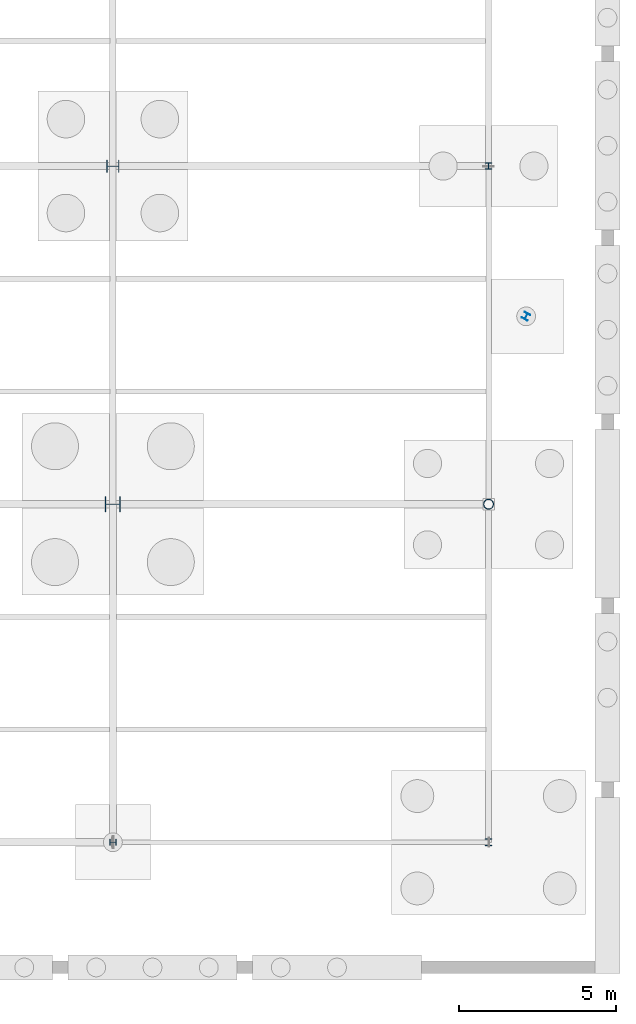
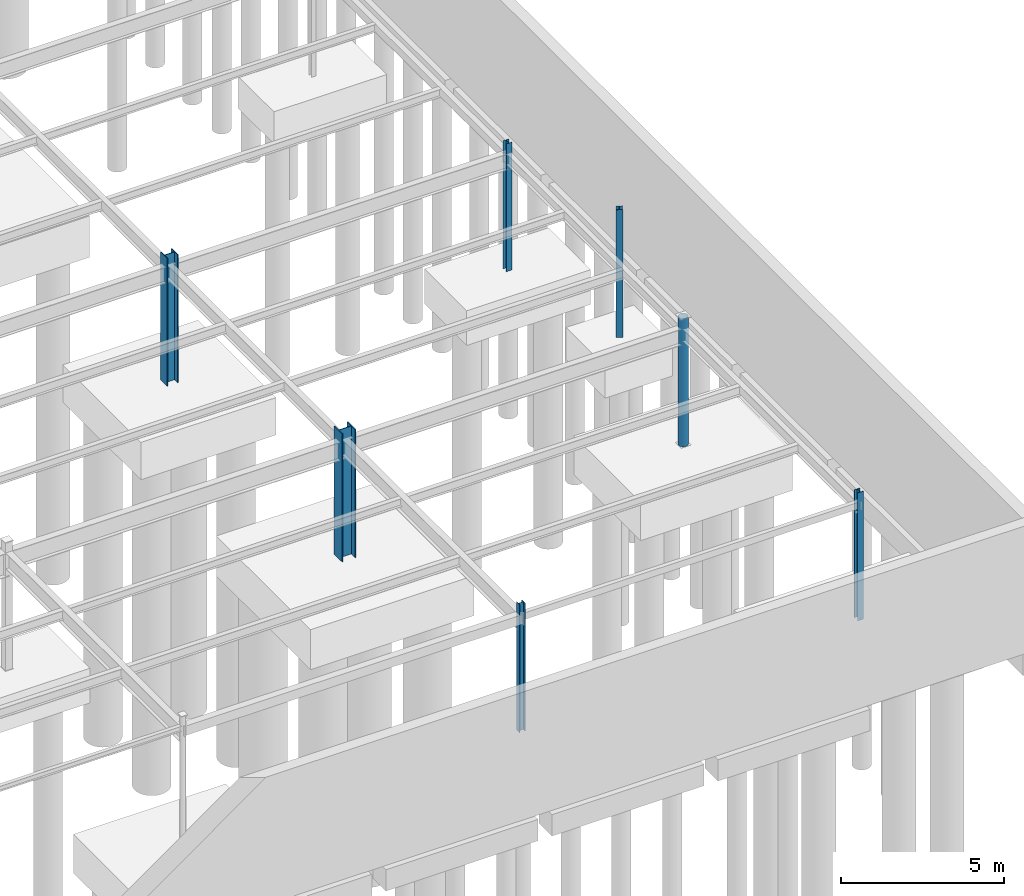
# One storey, part 54 of 136: 7 columns.
"""IFC4 building model written with IfcOpenShell, lengths in metres."""

from ifc_helpers import new_model, si_unit, direction, frame, origin, origin_2d, place, context, subcontext, project, spatial, hollow_circle, i_section, extrude, material, material_profile, profile_set, type_object, element, save


model = new_model("IFC4")

# Units and contexts
model_context = context("Model", 3, precision=1e-05, world=origin(), true_north=direction((0.0, 1.0)))
body_context = subcontext(model_context, "Body", "Model", "MODEL_VIEW")
ifc_project = project(units=[si_unit("LENGTHUNIT", "METRE"), si_unit("AREAUNIT", "SQUARE_METRE"), si_unit("VOLUMEUNIT", "CUBIC_METRE"), si_unit("PLANEANGLEUNIT", "RADIAN"), si_unit("MASSUNIT", "GRAM", prefix="KILO")], contexts=[model_context])

# Site, building, storey
site_placement = place(None, origin())
site = spatial("IfcSite", under=ifc_project, at=site_placement, CompositionType="ELEMENT")
building_placement = place(site_placement, origin())
building = spatial("IfcBuilding", under=site, at=building_placement, Name="Tarnwether General Hospital", CompositionType="ELEMENT")
storey_placement = place(building_placement, frame((0.0, 0.0, -4.800048828125)))
storey = spatial("IfcBuildingStorey", under=building, at=storey_placement, Name="LG", CompositionType="ELEMENT", Elevation=-4.800048828125)

# Columns
ifc_material_1 = material(Name="Steel Grade 350 (350 MPa)", Category="steel")
ifc_material_profile_1 = material_profile(ifc_material_1, i_section(OverallWidth=0.5, OverallDepth=0.5, WebThickness=0.02197265625, FlangeThickness=0.035888671875, at=origin_2d()), Name="500WC380")
ifc_profile_set_1 = profile_set([ifc_material_profile_1], Name="Steel Grade 350 (350 MPa)")
column_type_1 = type_object("IfcColumnType", Name="COL-01", PredefinedType="COLUMN", material=ifc_profile_set_1)
column_1_placement = place(storey_placement, frame((180.0, 10.800048828125, 0.0), z_axis=(0.0, 0.0, 1.0), x_axis=(0.0, 1.0, 0.0)))
element("IfcColumn", 1, at=column_1_placement, inside=storey, type_object=column_type_1, Name="Column COLG-LG-18000_1080", PredefinedType="COLUMN", context=body_context, shape_type="SweptSolid", body=[
    extrude(i_section(OverallWidth=0.5, OverallDepth=0.5, WebThickness=0.02197265625, FlangeThickness=0.035888671875, at=origin_2d()), origin(), (0.0, 0.0, 1.0), 4.800048828125),
])
ifc_material_2 = material(Name="Steel Grade 350 (350 MPa)", Category="steel")
ifc_material_profile_2 = material_profile(ifc_material_2, i_section(OverallWidth=0.39990234375, OverallDepth=0.39990234375, WebThickness=0.02001953125, FlangeThickness=0.028076171875, at=origin_2d()), Name="400WC270")
ifc_profile_set_2 = profile_set([ifc_material_profile_2], Name="Steel Grade 350 (350 MPa)")
column_type_2 = type_object("IfcColumnType", Name="COL-02", PredefinedType="COLUMN", material=ifc_profile_set_2)
column_2_placement = place(storey_placement, frame((180.0, 21.60009765625, 0.0), z_axis=(0.0, 0.0, 1.0), x_axis=(0.0, 1.0, 0.0)))
element("IfcColumn", 2, at=column_2_placement, inside=storey, type_object=column_type_2, Name="Column COLG-LG-18000_2160", PredefinedType="COLUMN", context=body_context, shape_type="SweptSolid", body=[
    extrude(i_section(OverallWidth=0.39990234375, OverallDepth=0.39990234375, WebThickness=0.02001953125, FlangeThickness=0.028076171875, at=origin_2d()), origin(), (0.0, 0.0, 1.0), 4.800048828125),
])
ifc_material_3 = material(Name="Steel Grade 350 (350 MPa)", Category="steel")
ifc_material_profile_3 = material_profile(ifc_material_3, i_section(OverallWidth=0.205078125, OverallDepth=0.2099609375, WebThickness=0.00927734375, FlangeThickness=0.01416015625, at=origin_2d()), Name="200UC59.5")
ifc_profile_set_3 = profile_set([ifc_material_profile_3], Name="Steel Grade 350 (350 MPa)")
column_type_3 = type_object("IfcColumnType", Name="COL-25", PredefinedType="COLUMN", material=ifc_profile_set_3)
for number, where, z_axis, x_axis, name in (
    (3, (192.0, 0.0, 0.0), (0.0, 0.0, 1.0), (1.0, 0.0, 0.0), "Column COLG-LG-19200_0"),
    (4, (193.199951171875, 16.800048828125, 0.0), (0.0, 0.0, 1.0), (0.882947592859, -0.469471562786, 0.0), "Column COLG-LG-19320_1680"),
):
    element("IfcColumn", number, at=place(storey_placement, frame(where, z_axis=z_axis, x_axis=x_axis)), inside=storey, type_object=column_type_3, Name=name, PredefinedType="COLUMN", context=body_context, shape_type="SweptSolid", body=[
        extrude(i_section(OverallWidth=0.205078125, OverallDepth=0.2099609375, WebThickness=0.00927734375, FlangeThickness=0.01416015625, at=origin_2d()), origin(), (0.0, 0.0, 1.0), 4.800048828125),
    ])
ifc_material_4 = material(Name="Steel Grade C350L0 (350 MPa)", Category="steel")
ifc_material_profile_4 = material_profile(ifc_material_4, hollow_circle(Radius=0.161865234375, WallThickness=0.0126953125, at=origin_2d()), Name="CHS323.9x12.7")
ifc_profile_set_4 = profile_set([ifc_material_profile_4], Name="Steel Grade C350L0 (350 MPa)")
column_type_4 = type_object("IfcColumnType", Name="COL-26", PredefinedType="COLUMN", material=ifc_profile_set_4)
column_3_placement = place(storey_placement, frame((192.0, 10.800048828125, 0.0), z_axis=(0.0, 0.0, 1.0), x_axis=(1.0, 0.0, 0.0)))
element("IfcColumn", 5, at=column_3_placement, inside=storey, type_object=column_type_4, Name="Column COLG-LG-19200_1080", PredefinedType="COLUMN", context=body_context, shape_type="SweptSolid", body=[
    extrude(hollow_circle(Radius=0.161865234375, WallThickness=0.0126953125, at=origin_2d()), origin(), (0.0, 0.0, 1.0), 4.800048828125),
])
ifc_material_5 = material(Name="Steel Grade 350 (350 MPa)", Category="steel")
ifc_material_profile_5 = material_profile(ifc_material_5, i_section(OverallWidth=0.202880859375, OverallDepth=0.202880859375, WebThickness=0.00732421875, FlangeThickness=0.010986328125, at=origin_2d()), Name="200UC46.2")
ifc_profile_set_5 = profile_set([ifc_material_profile_5], Name="Steel Grade 350 (350 MPa)")
column_type_5 = type_object("IfcColumnType", Name="COL-27", PredefinedType="COLUMN", material=ifc_profile_set_5)
for number, where, z_axis, x_axis, name in (
    (6, (180.0, 0.0, 0.0), (0.0, 0.0, 1.0), (0.0, 1.0, 0.0), "Column COLG-LG-18000_0"),
    (7, (192.0, 21.60009765625, 0.0), (0.0, 0.0, 1.0), (1.0, 0.0, 0.0), "Column COLG-LG-19200_2160"),
):
    element("IfcColumn", number, at=place(storey_placement, frame(where, z_axis=z_axis, x_axis=x_axis)), inside=storey, type_object=column_type_5, Name=name, PredefinedType="COLUMN", context=body_context, shape_type="SweptSolid", body=[
        extrude(i_section(OverallWidth=0.202880859375, OverallDepth=0.202880859375, WebThickness=0.00732421875, FlangeThickness=0.010986328125, at=origin_2d()), origin(), (0.0, 0.0, 1.0), 4.800048828125),
    ])

save(model, "model.ifc")
